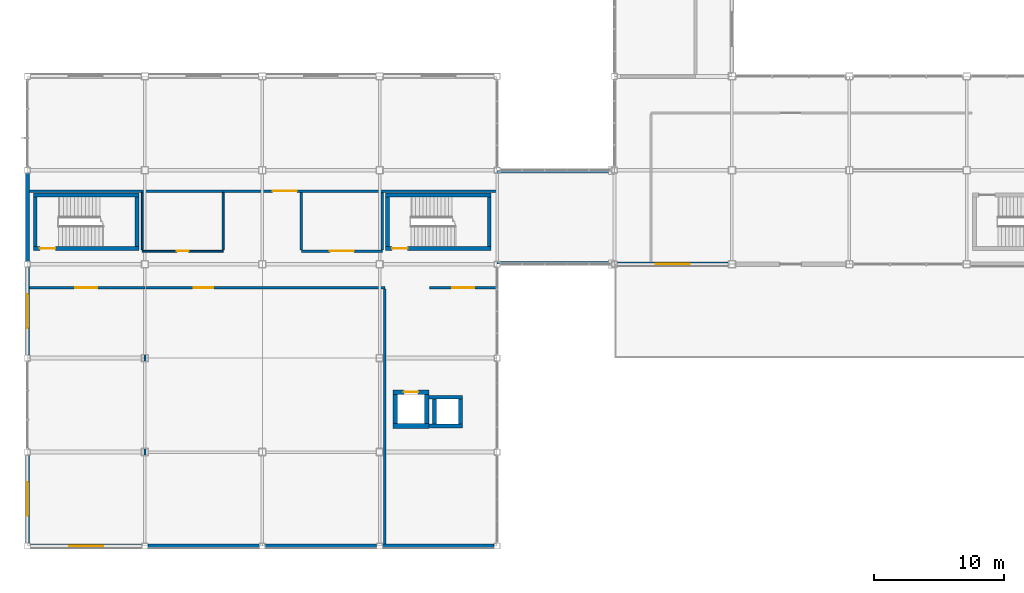
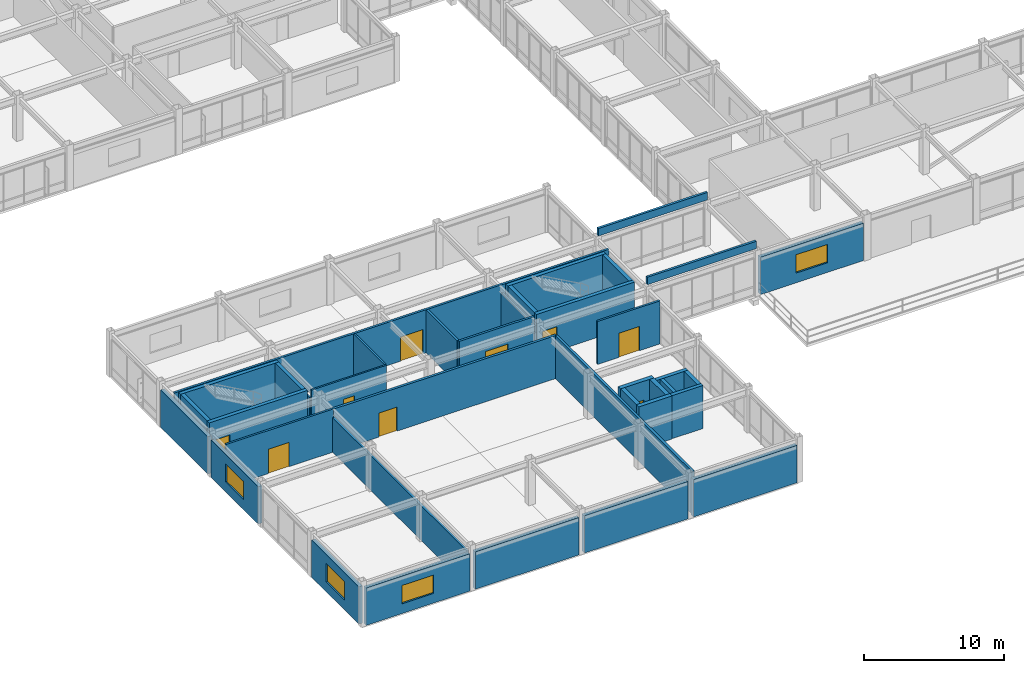
# One storey, part 98 of 122: 38 walls, 9 doors, 4 windows, 13 openings.
"""IFC4 building model written with IfcOpenShell, lengths in metres."""

import ifcopenshell
import ifcopenshell.guid

model = None  # the IFC model being written
_history = None  # IfcOwnerHistory: only IFC2X3 demands one
_inside = {}  # id of a spatial element -> (the spatial element, [elements in it])
_under = {}  # id of a project, library or spatial element -> (it, [spatial elements below it])
_declared = {}  # id of a project -> (the project, [libraries it declares])
_typed = {}  # id of a type object -> (the type object, [elements of that type])
_made_of = {}  # id of a material, layer set ... -> (it, [elements and type objects made of it])


def new_model(schema):
    """Start an empty IFC model of exactly this schema.

    Asked for "IFC4X3", IfcOpenShell would pick the latest addendum, in which some entities
    have other attributes; the version numbers below select the first issue.
    IFC2X3 requires an IfcOwnerHistory on every rooted entity: one is made here for all.
    """
    global model, _history
    if schema == "IFC4X3":
        model = ifcopenshell.file(schema_version=(4, 3, 0, 0))
    else:
        model = ifcopenshell.file(schema=schema)
    _inside.clear()
    _under.clear()
    _declared.clear()
    _typed.clear()
    _made_of.clear()
    _history = None
    if model.schema == "IFC2X3":
        org = make("IfcOrganization", Name="unknown")
        user = make(
            "IfcPersonAndOrganization",
            ThePerson=make("IfcPerson", FamilyName="unknown"),
            TheOrganization=org,
        )
        app = make(
            "IfcApplication",
            ApplicationDeveloper=org,
            Version="unknown",
            ApplicationFullName="unknown",
            ApplicationIdentifier="unknown",
        )
        _history = make(
            "IfcOwnerHistory",
            OwningUser=user,
            OwningApplication=app,
            ChangeAction="ADDED",
            CreationDate=0,
        )
    return model


def make(cls, **values):
    """One entity of the class cls with the attributes given. An attribute that is None is left unset."""
    return model.create_entity(
        cls, **{name: value for name, value in values.items() if value is not None}
    )


def rooted(cls, **values):
    """An entity with a GlobalId (a new one), such as an element, a storey or a relation."""
    return make(cls, GlobalId=ifcopenshell.guid.new(), OwnerHistory=_history, **values)


def si_unit(unit_type, name, prefix=None):
    """IfcSIUnit, for example si_unit("LENGTHUNIT", "METRE", prefix="MILLI")."""
    return make("IfcSIUnit", UnitType=unit_type, Prefix=prefix, Name=name)


def assignment(units):
    """IfcUnitAssignment: the units of a project."""
    return None if units is None else make("IfcUnitAssignment", Units=units)


def point(xyz):
    """IfcCartesianPoint."""
    return None if xyz is None else make("IfcCartesianPoint", Coordinates=xyz)


def direction(xyz):
    """IfcDirection."""
    return None if xyz is None else make("IfcDirection", DirectionRatios=xyz)


def frame(location, z_axis=None, x_axis=None):
    """IfcAxis2Placement3D, a coordinate frame: its origin and axes. An axis left out is left unset."""
    return make(
        "IfcAxis2Placement3D",
        Location=point(location),
        Axis=direction(z_axis),
        RefDirection=direction(x_axis),
    )


def frame_2d(location, x_axis=None):
    """IfcAxis2Placement2D, a coordinate frame in the plane: its origin and x axis."""
    return make(
        "IfcAxis2Placement2D", Location=point(location), RefDirection=direction(x_axis)
    )


def origin():
    """The frame at (0, 0, 0) with its axes left unset."""
    return frame((0.0, 0.0, 0.0))


def place(relative_to, where):
    """IfcLocalPlacement: puts the frame where relative to a parent placement (None: the world)."""
    return make(
        "IfcLocalPlacement", PlacementRelTo=relative_to, RelativePlacement=where
    )


def context(
    kind, dimensions, precision=None, world=None, true_north=None, identifier=None
):
    """IfcGeometricRepresentationContext, for example the 3D "Model" context."""
    return make(
        "IfcGeometricRepresentationContext",
        ContextIdentifier=identifier,
        ContextType=kind,
        CoordinateSpaceDimension=dimensions,
        Precision=precision,
        WorldCoordinateSystem=world,
        TrueNorth=true_north,
    )


def subcontext(parent, identifier, kind, view, scale=None):
    """IfcGeometricRepresentationSubContext, for example "Body" below "Model"."""
    return make(
        "IfcGeometricRepresentationSubContext",
        ContextIdentifier=identifier,
        ContextType=kind,
        ParentContext=parent,
        TargetScale=scale,
        TargetView=view,
    )


def project(units=None, contexts=None):
    """IfcProject with its units and contexts."""
    return rooted(
        "IfcProject",
        Name="project",
        RepresentationContexts=contexts,
        UnitsInContext=assignment(units),
    )


def spatial(cls, under=None, at=None, **own):
    """A site, building, storey or space (cls), placed at a placement, below another one or the project."""
    s = rooted(cls, ObjectPlacement=at, **own)
    if under is not None:
        _under.setdefault(under.id(), (under, []))[1].append(s)
    return s


def profile(cls, at=None, kind="AREA", **sizes):
    """A parametric profile (cls). Its sizes go by their IFC names, for example OverallWidth=200.0."""
    return make(cls, ProfileType=kind, Position=at, **sizes)


def rectangle(**sizes):
    """IfcRectangleProfileDef."""
    return profile("IfcRectangleProfileDef", **sizes)


def extrude(swept, where, along, depth):
    """IfcExtrudedAreaSolid: the profile swept, set in the frame where, extruded along a direction by depth."""
    return make(
        "IfcExtrudedAreaSolid",
        SweptArea=swept,
        Position=where,
        ExtrudedDirection=direction(along),
        Depth=depth,
    )


def shape(context_of_items, identifier, shape_type, items):
    """IfcShapeRepresentation: the items that make up one representation, for example the "Body"."""
    return make(
        "IfcShapeRepresentation",
        ContextOfItems=context_of_items,
        RepresentationIdentifier=identifier,
        RepresentationType=shape_type,
        Items=items,
    )


def material(Name=None, Category=None):
    """IfcMaterial."""
    return make("IfcMaterial", Name=Name, Category=Category)


def layer(
    of_material, thickness, ventilated=None, Name=None, Category=None, Priority=None
):
    """IfcMaterialLayer: one layer of a wall or slab, of a material (None: an air gap)."""
    return make(
        "IfcMaterialLayer",
        Material=of_material,
        LayerThickness=thickness,
        IsVentilated=ventilated,
        Name=Name,
        Category=Category,
        Priority=Priority,
    )


def layer_set(layers, Name=None):
    """IfcMaterialLayerSet."""
    return make("IfcMaterialLayerSet", MaterialLayers=layers, LayerSetName=Name)


def made_of(thing, what):
    """Note that an element or type object is made of a material, layer set ...; save() writes the relation."""
    if what is not None:
        _made_of.setdefault(what.id(), (what, []))[1].append(thing)
    return thing


def type_object(cls, material=None, **own):
    """A type object (cls), such as IfcWallType, which elements share."""
    return made_of(rooted(cls, **own), material)


def element(
    cls,
    number,
    at=None,
    inside=None,
    cuts=None,
    type_object=None,
    material=None,
    context=None,
    identifier="Body",
    shape_type=None,
    held_by="IfcProductDefinitionShape",
    body=None,
    shapes=None,
    **own,
):
    """One element of the class cls, such as IfcWall. Its Tag is "e" and its number.

    at: its placement. inside: the storey or other place that contains it. cuts: it is an
    opening in that element (IfcRelVoidsElement). A single representation is given by context,
    identifier, shape_type and body (its items); several are given by shapes. held_by: the class
    of the entity that holds the representations. save() writes the other relations.
    """
    e = rooted(cls, Tag="e%d" % number, ObjectPlacement=at, **own)
    if body is not None:
        shapes = [shape(context, identifier, shape_type, body)]
    if shapes is not None:
        e.Representation = make(held_by, Representations=shapes)
    if inside is not None:
        _inside.setdefault(inside.id(), (inside, []))[1].append(e)
    if cuts is not None:
        rooted(
            "IfcRelVoidsElement", RelatingBuildingElement=cuts, RelatedOpeningElement=e
        )
    if type_object is not None:
        _typed.setdefault(type_object.id(), (type_object, []))[1].append(e)
    return made_of(e, material)


def fill(opening, filler):
    """IfcRelFillsElement: the door or window that sits in an opening."""
    return rooted(
        "IfcRelFillsElement",
        RelatingOpeningElement=opening,
        RelatedBuildingElement=filler,
    )


def aggregate(whole, parts):
    """IfcRelAggregates: a whole, such as a stair, and the parts it consists of."""
    return rooted("IfcRelAggregates", RelatingObject=whole, RelatedObjects=parts)


def save(model, path):
    """Write the relations noted so far, then the file.

    IfcRelAggregates (storeys below a building ...), IfcRelContainedInSpatialStructure (elements
    in a storey), IfcRelDefinesByType, IfcRelAssociatesMaterial and IfcRelDeclares: one each for
    every whole, place, type object, material and project.
    """
    for whole, parts in _under.values():
        aggregate(whole, parts)
    for where, things in _inside.values():
        rooted(
            "IfcRelContainedInSpatialStructure",
            RelatedElements=things,
            RelatingStructure=where,
        )
    for kind, things in _typed.values():
        rooted("IfcRelDefinesByType", RelatedObjects=things, RelatingType=kind)
    for what, things in _made_of.values():
        rooted("IfcRelAssociatesMaterial", RelatedObjects=things, RelatingMaterial=what)
    for by, libraries in _declared.values():
        rooted("IfcRelDeclares", RelatingContext=by, RelatedDefinitions=libraries)
    model.write(path)


model = new_model("IFC4")

# Units and contexts
model_context = context("Model", 3, precision=1e-05, world=origin(), true_north=direction((0.0, 1.0)))
body_context = subcontext(model_context, "Body", "Model", "MODEL_VIEW")
ifc_project = project(units=[si_unit("LENGTHUNIT", "METRE"), si_unit("AREAUNIT", "SQUARE_METRE"), si_unit("VOLUMEUNIT", "CUBIC_METRE"), si_unit("PLANEANGLEUNIT", "RADIAN"), si_unit("MASSUNIT", "GRAM", prefix="KILO")], contexts=[model_context])

# Site, building, storey
site_placement = place(None, origin())
site = spatial("IfcSite", under=ifc_project, at=site_placement, CompositionType="ELEMENT")
building_placement = place(site_placement, origin())
building = spatial("IfcBuilding", under=site, at=building_placement, Name="Kazanami Central Library", CompositionType="ELEMENT")
storey_placement = place(building_placement, frame((0.0, 0.0, 4.800048828125)))
storey = spatial("IfcBuildingStorey", under=building, at=storey_placement, Name="L02", CompositionType="ELEMENT", Elevation=4.800048828125)

# Wall, opening, window
ifc_material_1 = material(Name="Concrete Fc36 (36 MPa)", Category="concrete")
ifc_layer_1 = layer(ifc_material_1, 0.219970703125, Name="Concrete Fc36 (36 MPa)")
ifc_material_2 = material(Name="Extruded Polystyrene XPS", Category="earth")
ifc_layer_2 = layer(ifc_material_2, 0.050048828125, Name="Extruded Polystyrene XPS")
ifc_material_3 = material(Name="Honed Inada Granite", Category="masonry")
ifc_layer_3 = layer(ifc_material_3, 0.030029296875, Name="Honed Inada Granite")
ifc_layer_set_1 = layer_set([ifc_layer_1, ifc_layer_2, ifc_layer_3], Name="Concrete Fc36 (36 MPa)")
wall_type_1 = type_object("IfcWallType", Name="WAL-EW-300", PredefinedType="STANDARD", material=ifc_layer_set_1)
wall_1_placement = place(storey_placement, frame((0.0, 0.22509765625, 0.0), z_axis=(0.0, 0.0, 1.0), x_axis=(0.0, 1.0, 0.0)))
wall_1 = element("IfcWall", 1, at=wall_1_placement, inside=storey, type_object=wall_type_1, Name="Exterior Facade Wall EW-300 L02 W-1-00", PredefinedType="STANDARD", context=body_context, shape_type="SweptSolid", body=[
    extrude(rectangle(XDim=6.75, YDim=0.300048828125, at=frame_2d((3.375, 0.0))), origin(), (0.0, 0.0, 1.0), 3.2548828125),
])
opening_1_placement = place(wall_1_placement, frame((2.074951171875, 0.0, 0.85009765625)))
opening_1 = element("IfcOpeningElement", 2, at=opening_1_placement, cuts=wall_1, Name="Opening WN-13", PredefinedType="OPENING", context=body_context, shape_type="SweptSolid", body=[
    extrude(rectangle(XDim=2.60009765625, YDim=1.60009765625, at=frame_2d((1.300048828125, 0.800048828125))), frame((0.0, 0.162109375, 0.0), z_axis=(0.0, -1.0, 0.0), x_axis=(1.0, 0.0, 0.0)), (0.0, 0.0, 1.0), 0.323974609375),
])
ifc_material_4 = material(Name="Low-E Insulated Triple Glass", Category="glass")
window_type = type_object("IfcWindowType", Name="WIN-WN-13", PartitioningType="DOUBLE_PANEL_VERTICAL", PredefinedType="WINDOW", material=ifc_material_4)
window_1_placement = place(opening_1_placement, origin())
window_1 = element("IfcWindow", 3, at=window_1_placement, inside=storey, type_object=window_type, Name="Facade Window WN-13 L02 W-1-00", OverallHeight=1.60009765625, OverallWidth=2.60009765625, PartitioningType="DOUBLE_PANEL_VERTICAL", PredefinedType="WINDOW", context=body_context, shape_type="SweptSolid", body=[
    extrude(rectangle(XDim=2.60009765625, YDim=1.60009765625, at=frame_2d((1.300048828125, 0.800048828125))), frame((0.0, 0.030029296875, 0.0), z_axis=(0.0, -1.0, 0.0), x_axis=(1.0, 0.0, 0.0)), (0.0, 0.0, 1.0), 0.06005859375),
])
fill(opening_1, window_1)

wall_2_placement = place(storey_placement, frame((0.0, 14.625, 0.0), z_axis=(0.0, 0.0, 1.0), x_axis=(0.0, 1.0, 0.0)))
wall_2 = element("IfcWall", 4, at=wall_2_placement, inside=storey, type_object=wall_type_1, Name="Exterior Facade Wall EW-300 L02 W-1-02", PredefinedType="STANDARD", context=body_context, shape_type="SweptSolid", body=[
    extrude(rectangle(XDim=6.75, YDim=0.300048828125, at=frame_2d((3.375, 0.0))), origin(), (0.0, 0.0, 1.0), 3.2548828125),
])
opening_2_placement = place(wall_2_placement, frame((2.074951171875, 0.0, 0.85009765625)))
opening_2 = element("IfcOpeningElement", 5, at=opening_2_placement, cuts=wall_2, Name="Opening WN-13", PredefinedType="OPENING", context=body_context, shape_type="SweptSolid", body=[
    extrude(rectangle(XDim=2.60009765625, YDim=1.60009765625, at=frame_2d((1.300048828125, 0.800048828125))), frame((0.0, 0.162109375, 0.0), z_axis=(0.0, -1.0, 0.0), x_axis=(1.0, 0.0, 0.0)), (0.0, 0.0, 1.0), 0.323974609375),
])
window_2_placement = place(opening_2_placement, origin())
window_2 = element("IfcWindow", 6, at=window_2_placement, inside=storey, type_object=window_type, Name="Facade Window WN-13 L02 W-1-02", OverallHeight=1.60009765625, OverallWidth=2.60009765625, PartitioningType="DOUBLE_PANEL_VERTICAL", PredefinedType="WINDOW", context=body_context, shape_type="SweptSolid", body=[
    extrude(rectangle(XDim=2.60009765625, YDim=1.60009765625, at=frame_2d((1.300048828125, 0.800048828125))), frame((0.0, 0.030029296875, 0.0), z_axis=(0.0, -1.0, 0.0), x_axis=(1.0, 0.0, 0.0)), (0.0, 0.0, 1.0), 0.06005859375),
])
fill(opening_2, window_2)

# Wall
wall_3_placement = place(storey_placement, frame((0.0, 21.824951171875, 0.0), z_axis=(0.0, 0.0, 1.0), x_axis=(0.0, 1.0, 0.0)))
element("IfcWall", 7, at=wall_3_placement, inside=storey, type_object=wall_type_1, Name="Exterior Facade Wall EW-300 L02 W-1-03", PredefinedType="STANDARD", context=body_context, shape_type="SweptSolid", body=[
    extrude(rectangle(XDim=6.75, YDim=0.300048828125, at=frame_2d((3.375, 0.0))), origin(), (0.0, 0.0, 1.0), 3.2548828125),
])

# Wall, opening, window
ifc_layer_4 = layer(ifc_material_1, 0.239990234375, Name="Concrete Fc36 (36 MPa)")
ifc_layer_5 = layer(ifc_material_2, 0.050048828125, Name="Extruded Polystyrene XPS")
ifc_layer_6 = layer(ifc_material_3, 0.030029296875, Name="Honed Inada Granite")
ifc_layer_set_2 = layer_set([ifc_layer_4, ifc_layer_5, ifc_layer_6], Name="Concrete Fc36 (36 MPa)")
wall_type_2 = type_object("IfcWallType", Name="WAL-EW-320", PredefinedType="STANDARD", material=ifc_layer_set_2)
wall_4_placement = place(storey_placement, frame((0.22509765625, 0.0, 0.0), z_axis=(0.0, 0.0, 1.0), x_axis=(1.0, 0.0, 0.0)))
wall_4 = element("IfcWall", 8, at=wall_4_placement, inside=storey, type_object=wall_type_2, Name="Exterior Facade Wall EW-320 L02 S-A-00", PredefinedType="STANDARD", context=body_context, shape_type="SweptSolid", body=[
    extrude(rectangle(XDim=8.5498046875, YDim=0.320068359375, at=frame_2d((4.27490234375, 0.0))), origin(), (0.0, 0.0, 1.0), 3.2548828125),
])
opening_3_placement = place(wall_4_placement, frame((2.97509765625, 0.0, 0.85009765625)))
opening_3 = element("IfcOpeningElement", 9, at=opening_3_placement, cuts=wall_4, Name="Opening WN-13", PredefinedType="OPENING", context=body_context, shape_type="SweptSolid", body=[
    extrude(rectangle(XDim=2.60009765625, YDim=1.60009765625, at=frame_2d((1.300048828125, 0.800048828125))), frame((0.0, 0.171875, 0.0), z_axis=(0.0, -1.0, 0.0), x_axis=(1.0, 0.0, 0.0)), (0.0, 0.0, 1.0), 0.343994140625),
])
window_3_placement = place(opening_3_placement, origin())
window_3 = element("IfcWindow", 10, at=window_3_placement, inside=storey, type_object=window_type, Name="Facade Window WN-13 L02 S-A-00", OverallHeight=1.60009765625, OverallWidth=2.60009765625, PartitioningType="DOUBLE_PANEL_VERTICAL", PredefinedType="WINDOW", context=body_context, shape_type="SweptSolid", body=[
    extrude(rectangle(XDim=2.60009765625, YDim=1.60009765625, at=frame_2d((1.300048828125, 0.800048828125))), frame((0.0, 0.030029296875, 0.0), z_axis=(0.0, -1.0, 0.0), x_axis=(1.0, 0.0, 0.0)), (0.0, 0.0, 1.0), 0.06005859375),
])
fill(opening_3, window_3)

# Walls
for number, where, z_axis, x_axis, name in (
    (11, (9.22509765625, 0.0, 0.0), (0.0, 0.0, 1.0), (1.0, 0.0, 0.0), "Exterior Facade Wall EW-320 L02 S-A-01"),
    (12, (18.22509765625, 0.0, 0.0), (0.0, 0.0, 1.0), (1.0, 0.0, 0.0), "Exterior Facade Wall EW-320 L02 S-A-02"),
    (13, (27.22509765625, 0.0, 0.0), (0.0, 0.0, 1.0), (1.0, 0.0, 0.0), "Exterior Facade Wall EW-320 L02 S-A-03"),
):
    element("IfcWall", number, at=place(storey_placement, frame(where, z_axis=z_axis, x_axis=x_axis)), inside=storey, type_object=wall_type_2, Name=name, PredefinedType="STANDARD", context=body_context, shape_type="SweptSolid", body=[
        extrude(rectangle(XDim=8.5498046875, YDim=0.320068359375, at=frame_2d((4.27490234375, 0.0))), origin(), (0.0, 0.0, 1.0), 3.2548828125),
    ])

# Wall, opening, window
wall_5_placement = place(storey_placement, frame((45.22509765625, 21.60009765625, 0.0), z_axis=(0.0, 0.0, 1.0), x_axis=(1.0, 0.0, 0.0)))
wall_5 = element("IfcWall", 14, at=wall_5_placement, inside=storey, type_object=wall_type_2, Name="Exterior Facade Wall EW-320 L02 S-D-05", PredefinedType="STANDARD", context=body_context, shape_type="SweptSolid", body=[
    extrude(rectangle(XDim=8.5, YDim=0.320068359375, at=frame_2d((4.25, 0.0))), origin(), (0.0, 0.0, 1.0), 3.2548828125),
])
opening_4_placement = place(wall_5_placement, frame((2.949951171875, 0.0, 0.85009765625)))
opening_4 = element("IfcOpeningElement", 15, at=opening_4_placement, cuts=wall_5, Name="Opening WN-13", PredefinedType="OPENING", context=body_context, shape_type="SweptSolid", body=[
    extrude(rectangle(XDim=2.60009765625, YDim=1.60009765625, at=frame_2d((1.300048828125, 0.800048828125))), frame((0.0, 0.171875, 0.0), z_axis=(0.0, -1.0, 0.0), x_axis=(1.0, 0.0, 0.0)), (0.0, 0.0, 1.0), 0.343994140625),
])
window_4_placement = place(opening_4_placement, origin())
window_4 = element("IfcWindow", 16, at=window_4_placement, inside=storey, type_object=window_type, Name="Facade Window WN-13 L02 S-D-05", OverallHeight=1.60009765625, OverallWidth=2.60009765625, PartitioningType="DOUBLE_PANEL_VERTICAL", PredefinedType="WINDOW", context=body_context, shape_type="SweptSolid", body=[
    extrude(rectangle(XDim=2.60009765625, YDim=1.60009765625, at=frame_2d((1.300048828125, 0.800048828125))), frame((0.0, 0.030029296875, 0.0), z_axis=(0.0, -1.0, 0.0), x_axis=(1.0, 0.0, 0.0)), (0.0, 0.0, 1.0), 0.06005859375),
])
fill(opening_4, window_4)

# Wall, opening, door
ifc_material_5 = material(Name="Fire-Resistant Gypsum Board GB-F", Category="gypsum")
ifc_layer_7 = layer(ifc_material_5, 0.1650390625, Name="Fire-Resistant Gypsum Board GB-F")
ifc_layer_set_3 = layer_set([ifc_layer_7], Name="Fire-Resistant Gypsum Board GB-F")
wall_type_3 = type_object("IfcWallType", Name="WAL-FW-165", PredefinedType="PARTITIONING", material=ifc_layer_set_3)
wall_6_placement = place(storey_placement, frame((0.155029296875, 19.800048828125, 0.0), z_axis=(0.0, 0.0, 1.0), x_axis=(1.0, 0.0, 0.0)))
wall_6 = element("IfcWall", 17, at=wall_6_placement, inside=storey, type_object=wall_type_3, Name="Interior Partition FW-165 L02 RM-06 (North)", PredefinedType="PARTITIONING", context=body_context, shape_type="SweptSolid", body=[
    extrude(rectangle(XDim=8.844970703125, YDim=0.1650390625, at=frame_2d((4.42236328125, 0.0))), origin(), (0.0, 0.0, 1.0), 3.7548828125),
])
opening_5_placement = place(wall_6_placement, frame((3.4951171875, 0.0, 0.0)))
opening_5 = element("IfcOpeningElement", 18, at=opening_5_placement, cuts=wall_6, Name="Opening FD30-4", PredefinedType="OPENING", context=body_context, shape_type="SweptSolid", body=[
    extrude(rectangle(XDim=1.699951171875, YDim=2.1201171875, at=frame_2d((0.85009765625, 1.06005859375))), frame((0.0, 0.094482421875, 0.0), z_axis=(0.0, -1.0, 0.0), x_axis=(1.0, 0.0, 0.0)), (0.0, 0.0, 1.0), 0.18896484375),
])
ifc_material_6 = material(Name="Cold-Rolled Steel SPCC", Category="steel")
door_type_1 = type_object("IfcDoorType", Name="DOR-FD30-4", OperationType="DOUBLE_DOOR_SINGLE_SWING", PredefinedType="DOOR", material=ifc_material_6)
door_1_placement = place(opening_5_placement, origin())
door_1 = element("IfcDoor", 19, at=door_1_placement, inside=storey, type_object=door_type_1, Name="Interior Door FD30-4 L02 RM-06", OperationType="DOUBLE_DOOR_SINGLE_SWING", OverallHeight=2.1201171875, OverallWidth=1.699951171875, PredefinedType="DOOR", context=body_context, shape_type="SweptSolid", body=[
    extrude(rectangle(XDim=1.699951171875, YDim=2.1201171875, at=frame_2d((0.85009765625, 1.06005859375))), frame((0.0, 0.02490234375, 0.0), z_axis=(0.0, -1.0, 0.0), x_axis=(1.0, 0.0, 0.0)), (0.0, 0.0, 1.0), 0.050048828125),
])
fill(opening_5, door_1)

# Wall
wall_7_placement = place(storey_placement, frame((9.0, 0.5849609375, 0.0), z_axis=(0.0, 0.0, 1.0), x_axis=(0.0, 1.0, 0.0)))
element("IfcWall", 20, at=wall_7_placement, inside=storey, type_object=wall_type_3, Name="Interior Partition FW-165 L02 RM-06 (East)", PredefinedType="PARTITIONING", context=body_context, shape_type="SweptSolid", body=[
    extrude(rectangle(XDim=19.125, YDim=0.1650390625, at=frame_2d((9.5625, 0.0))), origin(), (0.0, 0.0, 1.0), 3.034912109375),
])

# Wall, opening, door
wall_8_placement = place(storey_placement, frame((30.800048828125, 19.800048828125, 0.0), z_axis=(0.0, 0.0, 1.0), x_axis=(1.0, 0.0, 0.0)))
wall_8 = element("IfcWall", 21, at=wall_8_placement, inside=storey, type_object=wall_type_3, Name="Interior Partition FW-165 L02 RM-08 (North)", PredefinedType="PARTITIONING", context=body_context, shape_type="SweptSolid", body=[
    extrude(rectangle(XDim=5.1650390625, YDim=0.1650390625, at=frame_2d((2.58251953125, 0.0))), origin(), (0.0, 0.0, 1.0), 3.7548828125),
])
opening_6_placement = place(wall_8_placement, frame((1.75, 0.0, 0.0)))
opening_6 = element("IfcOpeningElement", 22, at=opening_6_placement, cuts=wall_8, Name="Opening FD30-4", PredefinedType="OPENING", context=body_context, shape_type="SweptSolid", body=[
    extrude(rectangle(XDim=1.699951171875, YDim=2.1201171875, at=frame_2d((0.85009765625, 1.06005859375))), frame((0.0, 0.094482421875, 0.0), z_axis=(0.0, -1.0, 0.0), x_axis=(1.0, 0.0, 0.0)), (0.0, 0.0, 1.0), 0.18896484375),
])
door_2_placement = place(opening_6_placement, origin())
door_2 = element("IfcDoor", 23, at=door_2_placement, inside=storey, type_object=door_type_1, Name="Interior Door FD30-4 L02 RM-08", OperationType="DOUBLE_DOOR_SINGLE_SWING", OverallHeight=2.1201171875, OverallWidth=1.699951171875, PredefinedType="DOOR", context=body_context, shape_type="SweptSolid", body=[
    extrude(rectangle(XDim=1.699951171875, YDim=2.1201171875, at=frame_2d((0.85009765625, 1.06005859375))), frame((0.0, 0.02490234375, 0.0), z_axis=(0.0, -1.0, 0.0), x_axis=(1.0, 0.0, 0.0)), (0.0, 0.0, 1.0), 0.050048828125),
])
fill(opening_6, door_2)

ifc_layer_8 = layer(ifc_material_5, 0.179931640625, Name="Fire-Resistant Gypsum Board GB-F")
ifc_layer_set_4 = layer_set([ifc_layer_8], Name="Fire-Resistant Gypsum Board GB-F")
wall_type_4 = type_object("IfcWallType", Name="WAL-FW-180", PredefinedType="PARTITIONING", material=ifc_layer_set_4)
wall_9_placement = place(storey_placement, frame((0.155029296875, 27.199951171875, 0.0), z_axis=(0.0, 0.0, 1.0), x_axis=(1.0, 0.0, 0.0)))
wall_9 = element("IfcWall", 24, at=wall_9_placement, inside=storey, type_object=wall_type_4, Name="Interior Partition FW-180 L02 RM-09 (South)", PredefinedType="PARTITIONING", context=body_context, shape_type="SweptSolid", body=[
    extrude(rectangle(XDim=35.844970703125, YDim=0.179931640625, at=frame_2d((17.92236328125, 0.0))), origin(), (0.0, 0.0, 1.0), 3.7548828125),
])
opening_7_placement = place(wall_9_placement, frame((18.64501953125, 0.0, 0.0)))
opening_7 = element("IfcOpeningElement", 25, at=opening_7_placement, cuts=wall_9, Name="Opening FD30-5", PredefinedType="OPENING", context=body_context, shape_type="SweptSolid", body=[
    extrude(rectangle(XDim=1.85009765625, YDim=2.1201171875, at=frame_2d((0.925048828125, 1.06005859375))), frame((0.0, 0.10205078125, 0.0), z_axis=(0.0, -1.0, 0.0), x_axis=(1.0, 0.0, 0.0)), (0.0, 0.0, 1.0), 0.203857421875),
])
door_type_2 = type_object("IfcDoorType", Name="DOR-FD30-5", OperationType="DOUBLE_DOOR_SINGLE_SWING", PredefinedType="DOOR", material=ifc_material_6)
door_3_placement = place(opening_7_placement, origin())
door_3 = element("IfcDoor", 26, at=door_3_placement, inside=storey, type_object=door_type_2, Name="Interior Door FD30-5 L02 RM-09", OperationType="DOUBLE_DOOR_SINGLE_SWING", OverallHeight=2.1201171875, OverallWidth=1.85009765625, PredefinedType="DOOR", context=body_context, shape_type="SweptSolid", body=[
    extrude(rectangle(XDim=1.85009765625, YDim=2.1201171875, at=frame_2d((0.925048828125, 1.06005859375))), frame((0.0, 0.02490234375, 0.0), z_axis=(0.0, -1.0, 0.0), x_axis=(1.0, 0.0, 0.0)), (0.0, 0.0, 1.0), 0.050048828125),
])
fill(opening_7, door_3)

wall_10_placement = place(storey_placement, frame((21.0, 22.60009765625, 0.0), z_axis=(0.0, 0.0, 1.0), x_axis=(1.0, 0.0, 0.0)))
wall_10 = element("IfcWall", 27, at=wall_10_placement, inside=storey, type_object=wall_type_4, Name="Interior Partition FW-180 L02 RM-12 (South)", PredefinedType="PARTITIONING", context=body_context, shape_type="SweptSolid", body=[
    extrude(rectangle(XDim=6.199951171875, YDim=0.179931640625, at=frame_2d((3.10009765625, 0.0))), origin(), (0.0, 0.0, 1.0), 3.7548828125),
])
opening_8_placement = place(wall_10_placement, frame((2.175048828125, 0.0, 0.0)))
opening_8 = element("IfcOpeningElement", 28, at=opening_8_placement, cuts=wall_10, Name="Opening FD30-5", PredefinedType="OPENING", context=body_context, shape_type="SweptSolid", body=[
    extrude(rectangle(XDim=1.85009765625, YDim=2.1201171875, at=frame_2d((0.925048828125, 1.06005859375))), frame((0.0, 0.10205078125, 0.0), z_axis=(0.0, -1.0, 0.0), x_axis=(1.0, 0.0, 0.0)), (0.0, 0.0, 1.0), 0.203857421875),
])
door_4_placement = place(opening_8_placement, origin())
door_4 = element("IfcDoor", 29, at=door_4_placement, inside=storey, type_object=door_type_2, Name="Interior Door FD30-5 L02 RM-12", OperationType="DOUBLE_DOOR_SINGLE_SWING", OverallHeight=2.1201171875, OverallWidth=1.85009765625, PredefinedType="DOOR", context=body_context, shape_type="SweptSolid", body=[
    extrude(rectangle(XDim=1.85009765625, YDim=2.1201171875, at=frame_2d((0.925048828125, 1.06005859375))), frame((0.0, 0.02490234375, 0.0), z_axis=(0.0, -1.0, 0.0), x_axis=(1.0, 0.0, 0.0)), (0.0, 0.0, 1.0), 0.050048828125),
])
fill(opening_8, door_4)

# Walls
wall_11_placement = place(storey_placement, frame((21.0, 22.68994140625, 0.0), z_axis=(0.0, 0.0, 1.0), x_axis=(0.0, 1.0, 0.0)))
element("IfcWall", 30, at=wall_11_placement, inside=storey, type_object=wall_type_4, Name="Interior Partition FW-180 L02 RM-12 (West)", PredefinedType="PARTITIONING", context=body_context, shape_type="SweptSolid", body=[
    extrude(rectangle(XDim=4.420166015625, YDim=0.179931640625, at=frame_2d((2.2099609375, 0.0))), origin(), (0.0, 0.0, 1.0), 3.7548828125),
])
wall_12_placement = place(storey_placement, frame((27.199951171875, 22.68994140625, 0.0), z_axis=(0.0, 0.0, 1.0), x_axis=(0.0, 1.0, 0.0)))
element("IfcWall", 31, at=wall_12_placement, inside=storey, type_object=wall_type_4, Name="Interior Partition FW-180 L02 RM-12 (East)", PredefinedType="PARTITIONING", context=body_context, shape_type="SweptSolid", body=[
    extrude(rectangle(XDim=4.420166015625, YDim=0.179931640625, at=frame_2d((2.2099609375, 0.0))), origin(), (0.0, 0.0, 1.0), 3.034912109375),
])

# Wall, opening, door
ifc_layer_9 = layer(ifc_material_5, 0.199951171875, Name="Fire-Resistant Gypsum Board GB-F")
ifc_layer_set_5 = layer_set([ifc_layer_9], Name="Fire-Resistant Gypsum Board GB-F")
wall_type_5 = type_object("IfcWallType", Name="WAL-FW-200", PredefinedType="PARTITIONING", material=ifc_layer_set_5)
wall_13_placement = place(storey_placement, frame((9.0, 19.800048828125, 0.0), z_axis=(0.0, 0.0, 1.0), x_axis=(1.0, 0.0, 0.0)))
wall_13 = element("IfcWall", 32, at=wall_13_placement, inside=storey, type_object=wall_type_5, Name="Interior Partition FW-200 L02 RM-07 (North)", PredefinedType="PARTITIONING", context=body_context, shape_type="SweptSolid", body=[
    extrude(rectangle(XDim=18.39990234375, YDim=0.199951171875, at=frame_2d((9.199951171875, 0.0))), origin(), (0.0, 0.0, 1.0), 3.7548828125),
])
opening_9_placement = place(wall_13_placement, frame((3.75, 0.0, 0.0)))
opening_9 = element("IfcOpeningElement", 33, at=opening_9_placement, cuts=wall_13, Name="Opening FD60-6", PredefinedType="OPENING", context=body_context, shape_type="SweptSolid", body=[
    extrude(rectangle(XDim=1.5, YDim=2.10009765625, at=frame_2d((0.75, 1.050048828125))), frame((0.0, 0.11181640625, 0.0), z_axis=(0.0, -1.0, 0.0), x_axis=(1.0, 0.0, 0.0)), (0.0, 0.0, 1.0), 0.223876953125),
])
door_type_3 = type_object("IfcDoorType", Name="DOR-FD60-6", OperationType="DOUBLE_DOOR_SINGLE_SWING", PredefinedType="DOOR", material=ifc_material_6)
door_5_placement = place(opening_9_placement, origin())
door_5 = element("IfcDoor", 34, at=door_5_placement, inside=storey, type_object=door_type_3, Name="Interior Door FD60-6 L02 RM-07", OperationType="DOUBLE_DOOR_SINGLE_SWING", OverallHeight=2.10009765625, OverallWidth=1.5, PredefinedType="DOOR", context=body_context, shape_type="SweptSolid", body=[
    extrude(rectangle(XDim=1.5, YDim=2.10009765625, at=frame_2d((0.75, 1.050048828125))), frame((0.0, 0.02490234375, 0.0), z_axis=(0.0, -1.0, 0.0), x_axis=(1.0, 0.0, 0.0)), (0.0, 0.0, 1.0), 0.050048828125),
])
fill(opening_9, door_5)

# Wall
wall_14_placement = place(storey_placement, frame((27.39990234375, 0.1650390625, 0.0), z_axis=(0.0, 0.0, 1.0), x_axis=(0.0, 1.0, 0.0)))
element("IfcWall", 35, at=wall_14_placement, inside=storey, type_object=wall_type_5, Name="Interior Partition FW-200 L02 RM-07 (East)", PredefinedType="PARTITIONING", context=body_context, shape_type="SweptSolid", body=[
    extrude(rectangle(XDim=19.544921875, YDim=0.199951171875, at=frame_2d((9.7724609375, 0.0))), origin(), (0.0, 0.0, 1.0), 3.7548828125),
])

# Wall, opening, door
ifc_material_7 = material(Name="Gypsum Plasterboard GB-R", Category="gypsum")
ifc_layer_10 = layer(ifc_material_7, 0.135009765625, Name="Gypsum Plasterboard GB-R")
ifc_layer_set_6 = layer_set([ifc_layer_10], Name="Gypsum Plasterboard GB-R")
wall_type_6 = type_object("IfcWallType", Name="WAL-PW-135", PredefinedType="PARTITIONING", material=ifc_layer_set_6)
wall_15_placement = place(storey_placement, frame((8.800048828125, 22.60009765625, 0.0), z_axis=(0.0, 0.0, 1.0), x_axis=(1.0, 0.0, 0.0)))
wall_15 = element("IfcWall", 36, at=wall_15_placement, inside=storey, type_object=wall_type_6, Name="Interior Partition PW-135 L02 RM-11 (South)", PredefinedType="PARTITIONING", context=body_context, shape_type="SweptSolid", body=[
    extrude(rectangle(XDim=6.199951171875, YDim=0.135009765625, at=frame_2d((3.10009765625, 0.0))), origin(), (0.0, 0.0, 1.0), 3.7548828125),
])
opening_10_placement = place(wall_15_placement, frame((2.64990234375, 0.0, 0.0)))
opening_10 = element("IfcOpeningElement", 37, at=opening_10_placement, cuts=wall_15, Name="Opening ID-03", PredefinedType="OPENING", context=body_context, shape_type="SweptSolid", body=[
    extrude(rectangle(XDim=0.89990234375, YDim=2.02001953125, at=frame_2d((0.449951171875, 1.010009765625))), frame((0.0, 0.07958984375, 0.0), z_axis=(0.0, -1.0, 0.0), x_axis=(1.0, 0.0, 0.0)), (0.0, 0.0, 1.0), 0.158935546875),
])
ifc_material_8 = material(Name="White Oak Hardwood", Category="wood")
door_type_4 = type_object("IfcDoorType", Name="DOR-ID-03", OperationType="NOTDEFINED", PredefinedType="DOOR", material=ifc_material_8)
door_6_placement = place(opening_10_placement, origin())
door_6 = element("IfcDoor", 38, at=door_6_placement, inside=storey, type_object=door_type_4, Name="Interior Door ID-03 L02 RM-11", OperationType="SINGLE_SWING_RIGHT", OverallHeight=2.02001953125, OverallWidth=0.89990234375, PredefinedType="DOOR", context=body_context, shape_type="SweptSolid", body=[
    extrude(rectangle(XDim=0.89990234375, YDim=2.02001953125, at=frame_2d((0.449951171875, 1.010009765625))), frame((0.0, 0.02490234375, 0.0), z_axis=(0.0, -1.0, 0.0), x_axis=(1.0, 0.0, 0.0)), (0.0, 0.0, 1.0), 0.050048828125),
])
fill(opening_10, door_6)

# Walls
wall_16_placement = place(storey_placement, frame((8.800048828125, 22.68994140625, 0.0), z_axis=(0.0, 0.0, 1.0), x_axis=(0.0, 1.0, 0.0)))
element("IfcWall", 39, at=wall_16_placement, inside=storey, type_object=wall_type_6, Name="Interior Partition PW-135 L02 RM-11 (West)", PredefinedType="PARTITIONING", context=body_context, shape_type="SweptSolid", body=[
    extrude(rectangle(XDim=4.420166015625, YDim=0.135009765625, at=frame_2d((2.2099609375, 0.0))), origin(), (0.0, 0.0, 1.0), 3.034912109375),
])
wall_17_placement = place(storey_placement, frame((15.0, 22.68994140625, 0.0), z_axis=(0.0, 0.0, 1.0), x_axis=(0.0, 1.0, 0.0)))
element("IfcWall", 40, at=wall_17_placement, inside=storey, type_object=wall_type_6, Name="Interior Partition PW-135 L02 RM-11 (East)", PredefinedType="PARTITIONING", context=body_context, shape_type="SweptSolid", body=[
    extrude(rectangle(XDim=4.420166015625, YDim=0.135009765625, at=frame_2d((2.2099609375, 0.0))), origin(), (0.0, 0.0, 1.0), 3.7548828125),
])
ifc_layer_11 = layer(ifc_material_1, 0.18994140625, Name="Concrete Fc36 (36 MPa)")
ifc_layer_set_7 = layer_set([ifc_layer_11], Name="Concrete Fc36 (36 MPa)")
wall_type_7 = type_object("IfcWallType", Name="WAL-PW-190", PredefinedType="PARAPET", material=ifc_layer_set_7)
for number, where, z_axis, x_axis, name in (
    (41, (36.0, 21.695068359375, 4.0), (0.0, 0.0, 1.0), (1.0, 0.0, 0.0), "Roof Eave Parapet BRG-WS-S"),
    (42, (36.0, 28.705078125, 4.0), (0.0, 0.0, 1.0), (1.0, 0.0, 0.0), "Roof Eave Parapet BRG-WS-N"),
):
    element("IfcWall", number, at=place(storey_placement, frame(where, z_axis=z_axis, x_axis=x_axis)), inside=storey, type_object=wall_type_7, Name=name, PredefinedType="PARAPET", context=body_context, shape_type="SweptSolid", body=[
        extrude(rectangle(XDim=9.0, YDim=0.18994140625, at=frame_2d((4.5, 0.0))), origin(), (0.0, 0.0, 1.0), 0.64990234375),
    ])

# Wall, opening, door
ifc_layer_12 = layer(ifc_material_1, 0.300048828125, Name="Concrete Fc36 (36 MPa)")
ifc_layer_set_8 = layer_set([ifc_layer_12], Name="Concrete Fc36 (36 MPa)")
wall_type_8 = type_object("IfcWallType", Name="WAL-SW-300", PredefinedType="SHEAR", material=ifc_layer_set_8)
wall_18_placement = place(storey_placement, frame((0.449951171875, 22.800048828125, 0.0), z_axis=(0.0, 0.0, 1.0), x_axis=(1.0, 0.0, 0.0)))
wall_18 = element("IfcWall", 43, at=wall_18_placement, inside=storey, type_object=wall_type_8, Name="Stair Core Wall ST-07 South L02", PredefinedType="SHEAR", context=body_context, shape_type="SweptSolid", body=[
    extrude(rectangle(XDim=8.10009765625, YDim=0.300048828125, at=frame_2d((4.050048828125, 0.0))), origin(), (0.0, 0.0, 1.0), 3.7548828125),
])
opening_11_placement = place(wall_18_placement, frame((0.5, 0.0, 0.0)))
opening_11 = element("IfcOpeningElement", 44, at=opening_11_placement, cuts=wall_18, Name="Opening FD60-1", PredefinedType="OPENING", context=body_context, shape_type="SweptSolid", body=[
    extrude(rectangle(XDim=1.199951171875, YDim=2.10009765625, at=frame_2d((0.60009765625, 1.050048828125))), frame((0.0, 0.162109375, 0.0), z_axis=(0.0, -1.0, 0.0), x_axis=(1.0, 0.0, 0.0)), (0.0, 0.0, 1.0), 0.323974609375),
])
door_type_5 = type_object("IfcDoorType", Name="DOR-FD60-1", OperationType="NOTDEFINED", PredefinedType="DOOR", material=ifc_material_6)
door_7_placement = place(opening_11_placement, origin())
door_7 = element("IfcDoor", 45, at=door_7_placement, inside=storey, type_object=door_type_5, Name="Escape Stair ST-07 Fire Door L02", OperationType="SINGLE_SWING_RIGHT", OverallHeight=2.10009765625, OverallWidth=1.199951171875, PredefinedType="DOOR", context=body_context, shape_type="SweptSolid", body=[
    extrude(rectangle(XDim=1.199951171875, YDim=2.10009765625, at=frame_2d((0.60009765625, 1.050048828125))), frame((0.0, 0.02490234375, 0.0), z_axis=(0.0, -1.0, 0.0), x_axis=(1.0, 0.0, 0.0)), (0.0, 0.0, 1.0), 0.050048828125),
])
fill(opening_11, door_7)

# Walls
wall_19_placement = place(storey_placement, frame((0.449951171875, 26.89990234375, 0.0), z_axis=(0.0, 0.0, 1.0), x_axis=(1.0, 0.0, 0.0)))
element("IfcWall", 46, at=wall_19_placement, inside=storey, type_object=wall_type_8, Name="Stair Core Wall ST-07 North L02", PredefinedType="SHEAR", context=body_context, shape_type="SweptSolid", body=[
    extrude(rectangle(XDim=8.10009765625, YDim=0.300048828125, at=frame_2d((4.050048828125, 0.0))), origin(), (0.0, 0.0, 1.0), 3.7548828125),
])
for number, where, z_axis, x_axis, name in (
    (47, (0.60009765625, 22.949951171875, 0.0), (0.0, 0.0, 1.0), (0.0, 1.0, 0.0), "Stair Core Wall ST-07 West L02"),
    (48, (8.39990234375, 22.949951171875, 0.0), (0.0, 0.0, 1.0), (0.0, 1.0, 0.0), "Stair Core Wall ST-07 East L02"),
):
    element("IfcWall", number, at=place(storey_placement, frame(where, z_axis=z_axis, x_axis=x_axis)), inside=storey, type_object=wall_type_8, Name=name, PredefinedType="SHEAR", context=body_context, shape_type="SweptSolid", body=[
        extrude(rectangle(XDim=3.800048828125, YDim=0.300048828125, at=frame_2d((1.89990234375, 0.0))), origin(), (0.0, 0.0, 1.0), 3.7548828125),
    ])

# Wall, opening, door
wall_20_placement = place(storey_placement, frame((27.449951171875, 22.800048828125, 0.0), z_axis=(0.0, 0.0, 1.0), x_axis=(1.0, 0.0, 0.0)))
wall_20 = element("IfcWall", 49, at=wall_20_placement, inside=storey, type_object=wall_type_8, Name="Stair Core Wall ST-08 South L02", PredefinedType="SHEAR", context=body_context, shape_type="SweptSolid", body=[
    extrude(rectangle(XDim=8.10009765625, YDim=0.300048828125, at=frame_2d((4.050048828125, 0.0))), origin(), (0.0, 0.0, 1.0), 3.7548828125),
])
opening_12_placement = place(wall_20_placement, frame((0.5, 0.0, 0.0)))
opening_12 = element("IfcOpeningElement", 50, at=opening_12_placement, cuts=wall_20, Name="Opening FD60-1", PredefinedType="OPENING", context=body_context, shape_type="SweptSolid", body=[
    extrude(rectangle(XDim=1.199951171875, YDim=2.10009765625, at=frame_2d((0.60009765625, 1.050048828125))), frame((0.0, 0.162109375, 0.0), z_axis=(0.0, -1.0, 0.0), x_axis=(1.0, 0.0, 0.0)), (0.0, 0.0, 1.0), 0.323974609375),
])
door_8_placement = place(opening_12_placement, origin())
door_8 = element("IfcDoor", 51, at=door_8_placement, inside=storey, type_object=door_type_5, Name="Escape Stair ST-08 Fire Door L02", OperationType="SINGLE_SWING_LEFT", OverallHeight=2.10009765625, OverallWidth=1.199951171875, PredefinedType="DOOR", context=body_context, shape_type="SweptSolid", body=[
    extrude(rectangle(XDim=1.199951171875, YDim=2.10009765625, at=frame_2d((0.60009765625, 1.050048828125))), frame((0.0, 0.02490234375, 0.0), z_axis=(0.0, -1.0, 0.0), x_axis=(1.0, 0.0, 0.0)), (0.0, 0.0, 1.0), 0.050048828125),
])
fill(opening_12, door_8)

# Walls
wall_21_placement = place(storey_placement, frame((27.449951171875, 26.89990234375, 0.0), z_axis=(0.0, 0.0, 1.0), x_axis=(1.0, 0.0, 0.0)))
element("IfcWall", 52, at=wall_21_placement, inside=storey, type_object=wall_type_8, Name="Stair Core Wall ST-08 North L02", PredefinedType="SHEAR", context=body_context, shape_type="SweptSolid", body=[
    extrude(rectangle(XDim=8.10009765625, YDim=0.300048828125, at=frame_2d((4.050048828125, 0.0))), origin(), (0.0, 0.0, 1.0), 3.7548828125),
])
for number, where, z_axis, x_axis, name in (
    (53, (27.60009765625, 22.949951171875, 0.0), (0.0, 0.0, 1.0), (0.0, 1.0, 0.0), "Stair Core Wall ST-08 West L02"),
    (54, (35.39990234375, 22.949951171875, 0.0), (0.0, 0.0, 1.0), (0.0, 1.0, 0.0), "Stair Core Wall ST-08 East L02"),
):
    element("IfcWall", number, at=place(storey_placement, frame(where, z_axis=z_axis, x_axis=x_axis)), inside=storey, type_object=wall_type_8, Name=name, PredefinedType="SHEAR", context=body_context, shape_type="SweptSolid", body=[
        extrude(rectangle(XDim=3.800048828125, YDim=0.300048828125, at=frame_2d((1.89990234375, 0.0))), origin(), (0.0, 0.0, 1.0), 3.7548828125),
    ])
for number, where, z_axis, x_axis, name in (
    (55, (30.77490234375, 9.199951171875, 0.0), (0.0, 0.0, 1.0), (1.0, 0.0, 0.0), "Service Riser Wall RSR-V3-A S L02"),
    (56, (30.77490234375, 11.39990234375, 0.0), (0.0, 0.0, 1.0), (1.0, 0.0, 0.0), "Service Riser Wall RSR-V3-A N L02"),
):
    element("IfcWall", number, at=place(storey_placement, frame(where, z_axis=z_axis, x_axis=x_axis)), inside=storey, type_object=wall_type_8, Name=name, PredefinedType="SHEAR", context=body_context, shape_type="SweptSolid", body=[
        extrude(rectangle(XDim=2.5751953125, YDim=0.300048828125, at=frame_2d((1.28759765625, 0.0))), origin(), (0.0, 0.0, 1.0), 3.7548828125),
    ])
for number, where, z_axis, x_axis, name in (
    (57, (31.199951171875, 9.35009765625, 0.0), (0.0, 0.0, 1.0), (0.0, 1.0, 0.0), "Service Riser Wall RSR-V3-A W L02"),
    (58, (33.199951171875, 9.35009765625, 0.0), (0.0, 0.0, 1.0), (0.0, 1.0, 0.0), "Service Riser Wall RSR-V3-A E L02"),
):
    element("IfcWall", number, at=place(storey_placement, frame(where, z_axis=z_axis, x_axis=x_axis)), inside=storey, type_object=wall_type_8, Name=name, PredefinedType="SHEAR", context=body_context, shape_type="SweptSolid", body=[
        extrude(rectangle(XDim=1.89990234375, YDim=0.300048828125, at=frame_2d((0.949951171875, 0.0))), origin(), (0.0, 0.0, 1.0), 3.7548828125),
    ])
ifc_layer_13 = layer(ifc_material_1, 0.35009765625, Name="Concrete Fc36 (36 MPa)")
ifc_layer_set_9 = layer_set([ifc_layer_13], Name="Concrete Fc36 (36 MPa)")
wall_type_9 = type_object("IfcWallType", Name="WAL-SW-350", PredefinedType="SHEAR", material=ifc_layer_set_9)
wall_22_placement = place(storey_placement, frame((28.02490234375, 9.199951171875, 0.0), z_axis=(0.0, 0.0, 1.0), x_axis=(1.0, 0.0, 0.0)))
element("IfcWall", 59, at=wall_22_placement, inside=storey, type_object=wall_type_9, Name="Lift Shaft Wall EL-P5 South L02", PredefinedType="SHEAR", context=body_context, shape_type="SweptSolid", body=[
    extrude(rectangle(XDim=2.75, YDim=0.35009765625, at=frame_2d((1.375, 0.0))), origin(), (0.0, 0.0, 1.0), 3.7548828125),
])

# Wall, opening, door
wall_23_placement = place(storey_placement, frame((28.02490234375, 11.800048828125, 0.0), z_axis=(0.0, 0.0, 1.0), x_axis=(1.0, 0.0, 0.0)))
wall_23 = element("IfcWall", 60, at=wall_23_placement, inside=storey, type_object=wall_type_9, Name="Lift Shaft Wall EL-P5 North L02", PredefinedType="SHEAR", context=body_context, shape_type="SweptSolid", body=[
    extrude(rectangle(XDim=2.75, YDim=0.35009765625, at=frame_2d((1.375, 0.0))), origin(), (0.0, 0.0, 1.0), 3.7548828125),
])
opening_13_placement = place(wall_23_placement, frame((0.824951171875, 0.0, 0.0)))
opening_13 = element("IfcOpeningElement", 61, at=opening_13_placement, cuts=wall_23, Name="Opening LD-01", PredefinedType="OPENING", context=body_context, shape_type="SweptSolid", body=[
    extrude(rectangle(XDim=1.10009765625, YDim=2.10009765625, at=frame_2d((0.550048828125, 1.050048828125))), frame((0.0, 0.18701171875, 0.0), z_axis=(0.0, -1.0, 0.0), x_axis=(1.0, 0.0, 0.0)), (0.0, 0.0, 1.0), 0.3740234375),
])
ifc_material_9 = material(Name="Stainless Steel SUS304", Category="steel")
door_type_6 = type_object("IfcDoorType", Name="DOR-LD-01", OperationType="SLIDING_TO_LEFT", PredefinedType="DOOR", material=ifc_material_9)
door_9_placement = place(opening_13_placement, origin())
door_9 = element("IfcDoor", 62, at=door_9_placement, inside=storey, type_object=door_type_6, Name="Lift Landing Sliding Door EL-P5 (L02)", OperationType="SLIDING_TO_RIGHT", OverallHeight=2.10009765625, OverallWidth=1.10009765625, PredefinedType="DOOR", context=body_context, shape_type="SweptSolid", body=[
    extrude(rectangle(XDim=1.10009765625, YDim=2.10009765625, at=frame_2d((0.550048828125, 1.050048828125))), frame((0.0, 0.02490234375, 0.0), z_axis=(0.0, -1.0, 0.0), x_axis=(1.0, 0.0, 0.0)), (0.0, 0.0, 1.0), 0.050048828125),
])
fill(opening_13, door_9)

# Walls
for number, where, z_axis, x_axis, name in (
    (63, (28.199951171875, 9.375, 0.0), (0.0, 0.0, 1.0), (0.0, 1.0, 0.0), "Lift Shaft Wall EL-P5 West L02"),
    (64, (30.60009765625, 9.375, 0.0), (0.0, 0.0, 1.0), (0.0, 1.0, 0.0), "Lift Shaft Wall EL-P5 East L02"),
):
    element("IfcWall", number, at=place(storey_placement, frame(where, z_axis=z_axis, x_axis=x_axis)), inside=storey, type_object=wall_type_9, Name=name, PredefinedType="SHEAR", context=body_context, shape_type="SweptSolid", body=[
        extrude(rectangle(XDim=2.25, YDim=0.35009765625, at=frame_2d((1.125, 0.0))), origin(), (0.0, 0.0, 1.0), 3.7548828125),
    ])

save(model, "model.ifc")
